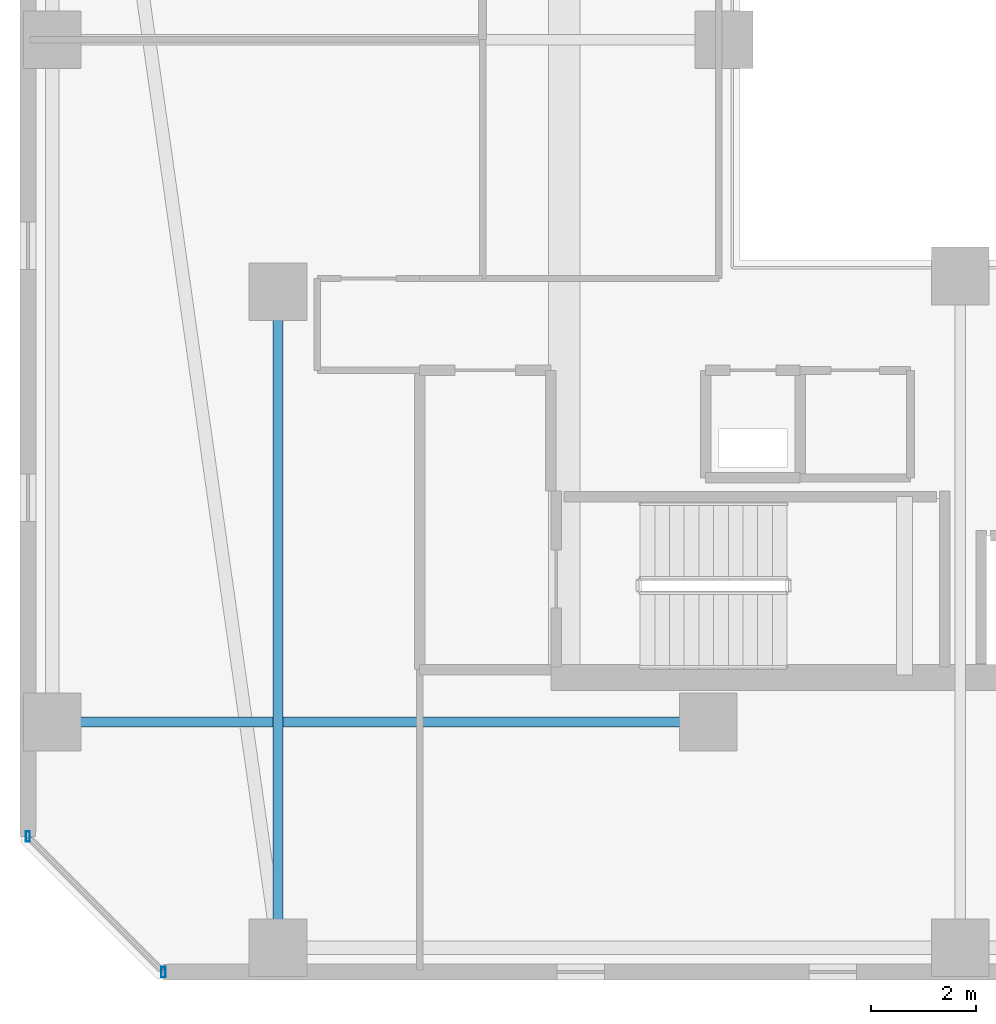
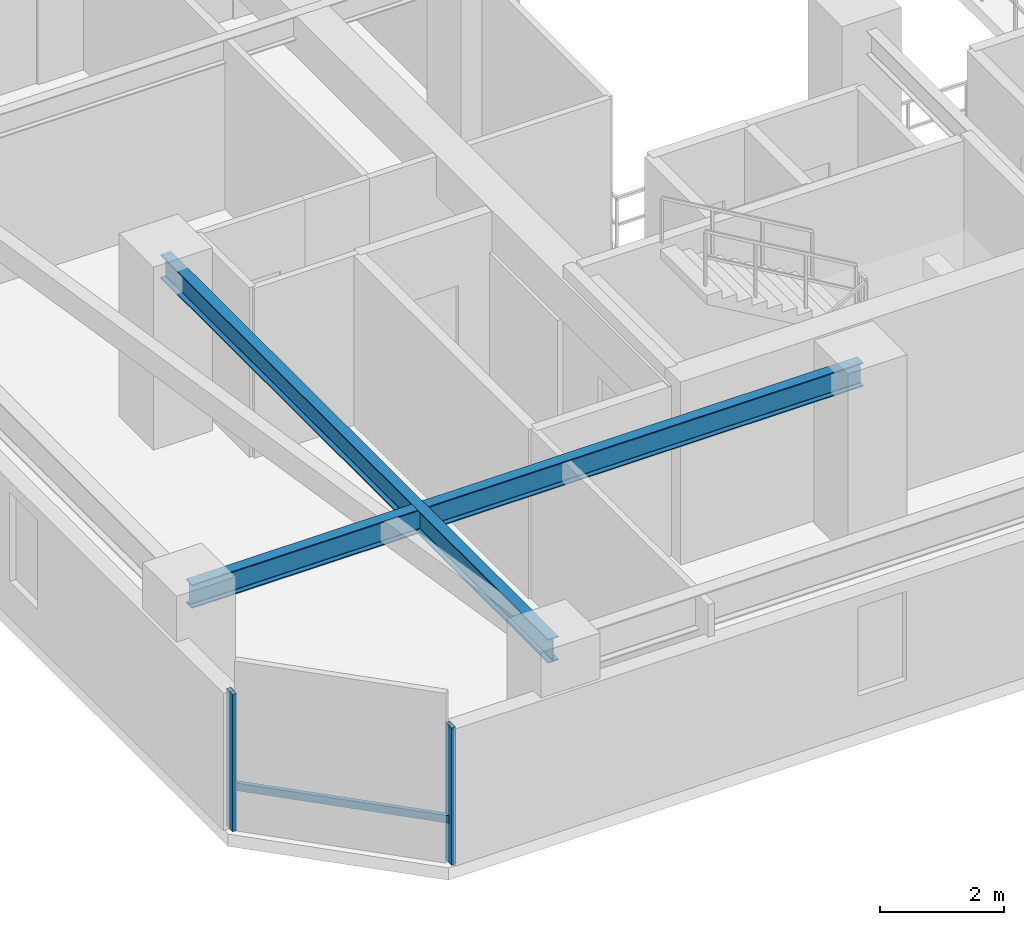
# One storey, part 3 of 33: 3 members, 2 beams, 1 element without a shape of its own.
"""IFC4 building model written with IfcOpenShell, lengths in metres."""

from ifc_helpers import new_model, si_unit, direction, frame, origin, origin_2d, place, context, subcontext, project, spatial, hollow_rectangle, i_section, extrude, material, material_profile, profile_set, type_object, element, aggregate, save


model = new_model("IFC4")

# Units and contexts
model_context = context("Model", 3, precision=1e-05, world=origin(), true_north=direction((0.0, 1.0)))
body_context = subcontext(model_context, "Body", "Model", "MODEL_VIEW")
ifc_project = project(units=[si_unit("LENGTHUNIT", "METRE"), si_unit("AREAUNIT", "SQUARE_METRE"), si_unit("VOLUMEUNIT", "CUBIC_METRE"), si_unit("PLANEANGLEUNIT", "RADIAN"), si_unit("MASSUNIT", "GRAM", prefix="KILO")], contexts=[model_context])

# Site, building, storey
site_placement = place(None, origin())
site = spatial("IfcSite", under=ifc_project, at=site_placement, CompositionType="ELEMENT")
building_placement = place(site_placement, origin())
building = spatial("IfcBuilding", under=site, at=building_placement, Name="Thornwick Lancets Civic Towers", CompositionType="ELEMENT")
storey_placement = place(building_placement, frame((0.0, 0.0, 185.699951171875)))
storey = spatial("IfcBuildingStorey", under=building, at=storey_placement, Name="L49", CompositionType="ELEMENT", Elevation=185.699951171875)

# Beams
ifc_material_1 = material(Name="Steel S355JR", Category="steel")
ifc_material_profile_1 = material_profile(ifc_material_1, i_section(OverallWidth=0.19287109375, OverallDepth=0.46728515625, WebThickness=0.011474609375, FlangeThickness=0.01953125, FilletRadius=0.01025390625, at=origin_2d()), Name="UKB 457x191x98")
ifc_profile_set_1 = profile_set([ifc_material_profile_1], Name="Steel S355JR")
beam_type = type_object("IfcBeamType", Name="BM_JOIST_457_98", PredefinedType="JOIST", material=ifc_profile_set_1)
for number, where, z_axis, x_axis, name in (
    (1, (12.5, 22.199951171875, 3.12646484375), (0.0, -1.0, 0.0), (1.0, 0.0, 0.0), "BM-RADIN-L49-A01"),
    (2, (20.699951171875, 14.0, 3.12646484375), (-1.0, 0.0, 0.0), (0.0, -1.0, 0.0), "BM-RADIN-L49-A10"),
):
    element("IfcBeam", number, at=place(storey_placement, frame(where, z_axis=z_axis, x_axis=x_axis)), inside=storey, type_object=beam_type, Name=name, PredefinedType="JOIST", context=body_context, shape_type="SweptSolid", body=[
        extrude(i_section(OverallWidth=0.19287109375, OverallDepth=0.46728515625, WebThickness=0.011474609375, FlangeThickness=0.01953125, FilletRadius=0.01025390625, at=origin_2d()), origin(), (0.0, 0.0, 1.0), 12.5),
    ])

# Curtain wall, members
ifc_material_2 = material(Name="Mid-zone chamfered-corner unitised glass curtain wall", Category="glass")
curtain_wall_type = type_object("IfcCurtainWallType", Name="CW_SYS_04", PredefinedType="NOTDEFINED", material=ifc_material_2)
curtain_wall_placement = place(storey_placement, origin())
curtain_wall = element("IfcCurtainWall", 3, at=curtain_wall_placement, inside=storey, type_object=curtain_wall_type, Name="L49 Curtain Wall CW-L49-A-E7", PredefinedType="NOTDEFINED")
ifc_material_3 = material(Name="Thermally broken bronze aluminium S355", Category="steel")
ifc_material_profile_2 = material_profile(ifc_material_3, hollow_rectangle(XDim=0.080078125, YDim=0.199951171875, WallThickness=0.006103515625, at=origin_2d()), Name="RHS 200x80x6")
ifc_profile_set_2 = profile_set([ifc_material_profile_2], Name="Thermally broken bronze aluminium S355")
member_type_1 = type_object("IfcMemberType", Name="CW_MUL_200", PredefinedType="MULLION", material=ifc_profile_set_2)
member_1_placement = place(storey_placement, frame((7.7353515625, 11.818603515625, 0.0), z_axis=(0.0, 0.0, 1.0), x_axis=(1.0, 0.0, 0.0)))
member_1 = element("IfcMember", 4, at=member_1_placement, type_object=member_type_1, Name="CW-L49-A-E7 Mullion 0", PredefinedType="MULLION", context=body_context, shape_type="SweptSolid", body=[
    extrude(hollow_rectangle(XDim=0.080078125, YDim=0.199951171875, WallThickness=0.006103515625, at=origin_2d()), origin(), (0.0, 0.0, 1.0), 2.699951171875),
])
member_2_placement = place(storey_placement, frame((10.318603515625, 9.2353515625, 0.0), z_axis=(0.0, 0.0, 1.0), x_axis=(1.0, 0.0, 0.0)))
member_2 = element("IfcMember", 5, at=member_2_placement, type_object=member_type_1, Name="CW-L49-A-E7 Mullion 1", PredefinedType="MULLION", context=body_context, shape_type="SweptSolid", body=[
    extrude(hollow_rectangle(XDim=0.080078125, YDim=0.199951171875, WallThickness=0.006103515625, at=origin_2d()), origin(), (0.0, 0.0, 1.0), 2.699951171875),
])
ifc_material_profile_3 = material_profile(ifc_material_3, hollow_rectangle(XDim=0.074951171875, YDim=0.14990234375, WallThickness=0.0048828125, at=origin_2d()), Name="RHS 150x75x5")
ifc_profile_set_3 = profile_set([ifc_material_profile_3], Name="Thermally broken bronze aluminium S355")
member_type_2 = type_object("IfcMemberType", Name="CW_TRN_150", PredefinedType="USERDEFINED", material=ifc_profile_set_3)
member_3_placement = place(storey_placement, frame((7.74951171875, 11.804443359375, 0.85009765625), z_axis=(0.707106781187, -0.707106781187, 0.0), x_axis=(0.707106781187, 0.707106781187, 0.0)))
member_3 = element("IfcMember", 6, at=member_3_placement, type_object=member_type_2, Name="CW-L49-A-E7 Transom 0", ObjectType="TRANSOM", PredefinedType="USERDEFINED", context=body_context, shape_type="SweptSolid", body=[
    extrude(hollow_rectangle(XDim=0.074951171875, YDim=0.14990234375, WallThickness=0.0048828125, at=origin_2d()), origin(), (0.0, 0.0, 1.0), 3.61328125),
])
aggregate(curtain_wall, [member_1, member_2, member_3])

save(model, "model.ifc")
